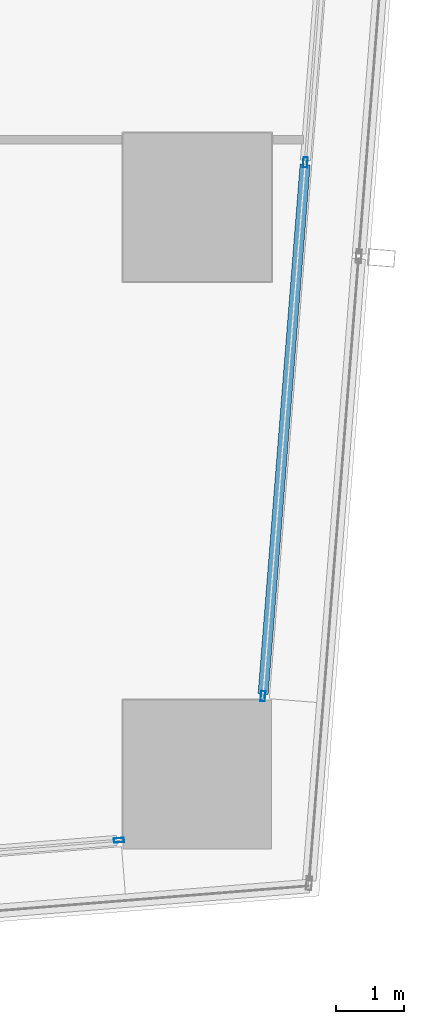
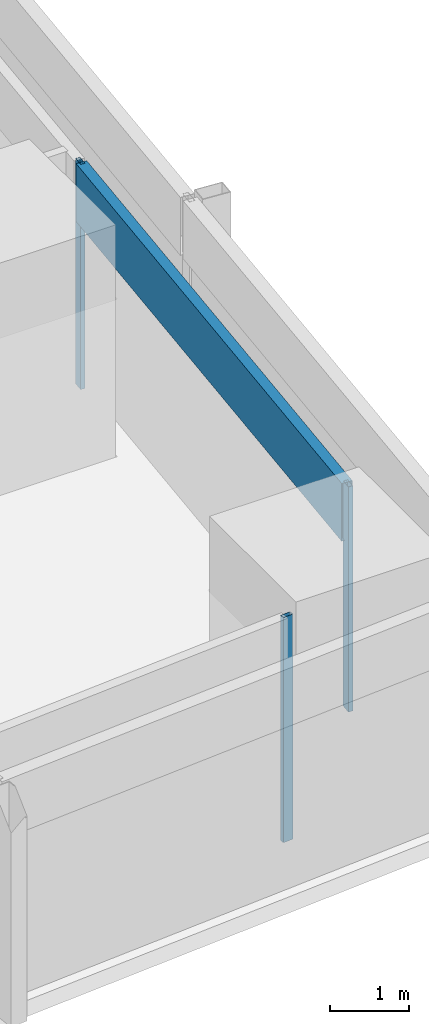
# One storey, part 12 of 42: 4 members, 2 elements without a shape of their own.
"""IFC4 building model written with IfcOpenShell, lengths in metres."""

from ifc_helpers import new_model, si_unit, direction, frame, origin, origin_2d, place, context, subcontext, project, spatial, hollow_rectangle, extrude, material, material_profile, profile_set, type_object, element, aggregate, save


model = new_model("IFC4")

# Units and contexts
model_context = context("Model", 3, precision=1e-05, world=origin(), true_north=direction((0.0, 1.0)))
body_context = subcontext(model_context, "Body", "Model", "MODEL_VIEW")
ifc_project = project(units=[si_unit("LENGTHUNIT", "METRE"), si_unit("AREAUNIT", "SQUARE_METRE"), si_unit("VOLUMEUNIT", "CUBIC_METRE"), si_unit("PLANEANGLEUNIT", "RADIAN"), si_unit("MASSUNIT", "GRAM", prefix="KILO")], contexts=[model_context])

# Site, building, storey
site_placement = place(None, origin())
site = spatial("IfcSite", under=ifc_project, at=site_placement, CompositionType="ELEMENT")
building_placement = place(site_placement, origin())
building = spatial("IfcBuilding", under=site, at=building_placement, Name="Rekha Terrace Tower", CompositionType="ELEMENT")
storey_placement = place(building_placement, frame((0.0, 0.0, 70.39990234375)))
storey = spatial("IfcBuildingStorey", under=building, at=storey_placement, Name="L17", CompositionType="ELEMENT", Elevation=70.39990234375)

# Curtain wall, member
ifc_material_1 = material(Name="Aluminium framing", Category="aluminium")
curtain_wall_type = type_object("IfcCurtainWallType", Name="CW1 double skin inner glazing", PredefinedType="USERDEFINED", material=ifc_material_1)
curtain_wall_1_placement = place(storey_placement, origin())
curtain_wall_1 = element("IfcCurtainWall", 1, at=curtain_wall_1_placement, inside=storey, type_object=curtain_wall_type, Name="CW1 double skin inner glazing", ObjectType="DOUBLE SKIN INNER GLAZING", PredefinedType="USERDEFINED")
ifc_material_2 = material(Name="Aluminium mullion section", Category="aluminium")
ifc_material_profile_1 = material_profile(ifc_material_2, hollow_rectangle(XDim=0.06494140625, YDim=0.14990234375, WallThickness=0.00390625, at=origin_2d()), Name="AL RHS 65x150")
ifc_profile_set_1 = profile_set([ifc_material_profile_1], Name="Aluminium mullion section")
member_type_1 = type_object("IfcMemberType", Name="CW1 mullion RHS 65 x 150", PredefinedType="MULLION", material=ifc_profile_set_1)
member_1_placement = place(storey_placement, frame((66.0400390625, 7.42626953125, 0.0), z_axis=(0.0, 0.0, 1.0), x_axis=(-0.079872204468, 0.996805111821, 0.0)))
member_1 = element("IfcMember", 2, at=member_1_placement, type_object=member_type_1, Name="CW1 mullion 3", PredefinedType="MULLION", context=body_context, shape_type="SweptSolid", body=[
    extrude(hollow_rectangle(XDim=0.06494140625, YDim=0.14990234375, WallThickness=0.00390625, at=origin_2d()), origin(), (0.0, 0.0, 1.0), 3.5),
])
aggregate(curtain_wall_1, [member_1])

# Curtain wall, members
curtain_wall_2_placement = place(storey_placement, origin())
curtain_wall_2 = element("IfcCurtainWall", 3, at=curtain_wall_2_placement, inside=storey, type_object=curtain_wall_type, Name="CW1 double skin inner glazing", ObjectType="DOUBLE SKIN INNER GLAZING", PredefinedType="USERDEFINED")
member_2_placement = place(storey_placement, frame((68.171630859375, 9.559814453125, 0.0), z_axis=(0.0, 0.0, 1.0), x_axis=(-0.996865392578, 0.079116300982, 0.0)))
member_2 = element("IfcMember", 4, at=member_2_placement, type_object=member_type_1, Name="CW1 mullion 1", PredefinedType="MULLION", context=body_context, shape_type="SweptSolid", body=[
    extrude(hollow_rectangle(XDim=0.06494140625, YDim=0.14990234375, WallThickness=0.00390625, at=origin_2d()), origin(), (0.0, 0.0, 1.0), 3.5),
])
member_3_placement = place(storey_placement, frame((68.799072265625, 17.46533203125, 0.0), z_axis=(0.0, 0.0, 1.0), x_axis=(-0.996865392578, 0.079116300982, 0.0)))
member_3 = element("IfcMember", 5, at=member_3_placement, type_object=member_type_1, Name="CW1 mullion 2", PredefinedType="MULLION", context=body_context, shape_type="SweptSolid", body=[
    extrude(hollow_rectangle(XDim=0.06494140625, YDim=0.14990234375, WallThickness=0.00390625, at=origin_2d()), origin(), (0.0, 0.0, 1.0), 3.5),
])
ifc_material_3 = material(Name="Insulated aluminium spandrel box", Category="aluminium")
ifc_material_profile_2 = material_profile(ifc_material_3, hollow_rectangle(XDim=0.14990234375, YDim=0.89990234375, WallThickness=0.0029296875, at=origin_2d()), Name="AL SPANDREL BOX 150x900")
ifc_profile_set_2 = profile_set([ifc_material_profile_2], Name="Insulated aluminium spandrel box")
member_type_2 = type_object("IfcMemberType", Name="CW1 spandrel transom 150 x 900", PredefinedType="USERDEFINED", material=ifc_profile_set_2)
member_4_placement = place(storey_placement, frame((68.174072265625, 9.59228515625, 3.050048828125), z_axis=(0.07912217646, 0.996864926252, 0.0), x_axis=(-0.996864926252, 0.07912217646, 0.0)))
member_4 = element("IfcMember", 6, at=member_4_placement, type_object=member_type_2, Name="CW1 spandrel transom 1", ObjectType="TRANSOM", PredefinedType="USERDEFINED", context=body_context, shape_type="SweptSolid", body=[
    extrude(hollow_rectangle(XDim=0.14990234375, YDim=0.89990234375, WallThickness=0.0029296875, at=origin_2d()), origin(), (0.0, 0.0, 1.0), 7.865234375),
])
aggregate(curtain_wall_2, [member_2, member_3, member_4])

save(model, "model.ifc")
